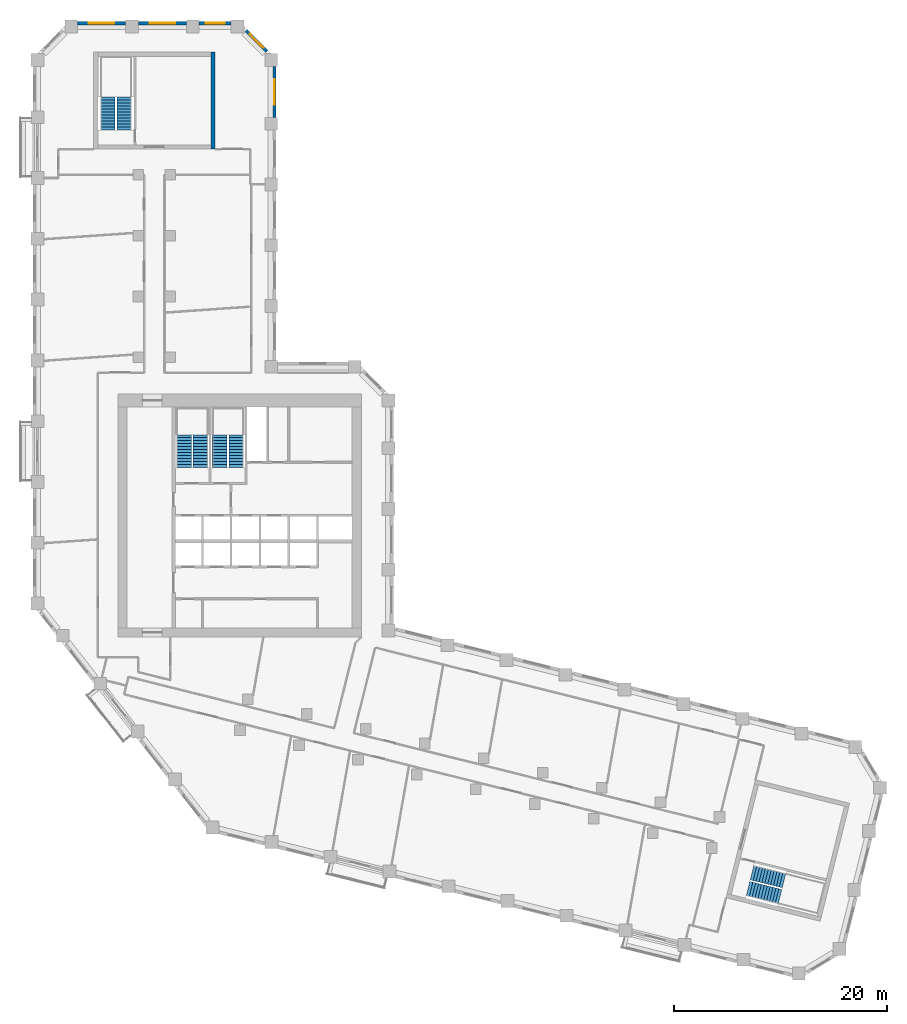
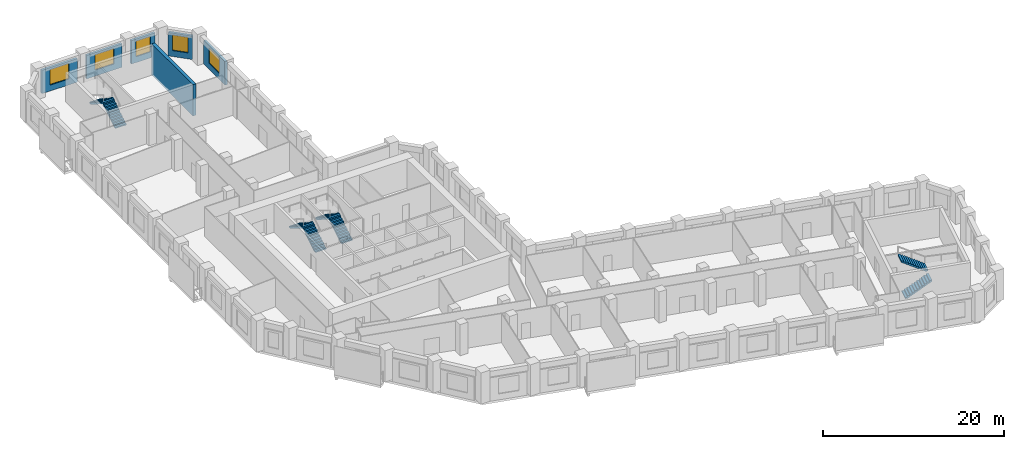
# One storey, part 9 of 10: 8 stair flights, 6 walls, 5 windows, 5 openings, 4 elements without a shape of their own.
"""IFC4 building model written with IfcOpenShell, lengths in metres."""

from ifc_helpers import new_model, si_unit, direction, frame, frame_2d, origin, place, context, subcontext, project, spatial, polyline, rectangle, outline, extrude, material, layer, layer_set, type_object, element, fill, aggregate, save


model = new_model("IFC4")

# Units and contexts
model_context = context("Model", 3, precision=1e-05, world=origin(), true_north=direction((0.0, 1.0)))
body_context = subcontext(model_context, "Body", "Model", "MODEL_VIEW")
ifc_project = project(units=[si_unit("LENGTHUNIT", "METRE"), si_unit("AREAUNIT", "SQUARE_METRE"), si_unit("VOLUMEUNIT", "CUBIC_METRE"), si_unit("PLANEANGLEUNIT", "RADIAN"), si_unit("MASSUNIT", "GRAM", prefix="KILO")], contexts=[model_context])

# Site, building, storey
site_placement = place(None, origin())
site = spatial("IfcSite", under=ifc_project, at=site_placement, CompositionType="ELEMENT")
building_placement = place(site_placement, origin())
building = spatial("IfcBuilding", under=site, at=building_placement, Name="Meshkara Civic Tower", CompositionType="ELEMENT")
storey_placement = place(building_placement, frame((0.0, 0.0, 203.39990234375)))
storey = spatial("IfcBuildingStorey", under=building, at=storey_placement, Name="L46", CompositionType="ELEMENT", Elevation=203.39990234375)

# Wall, opening, window
ifc_material_1 = material(Name="Insulated infill panel with bronze anodised aluminium cladding", Category="aluminium")
ifc_layer_1 = layer(ifc_material_1, 0.300048828125)
ifc_layer_set_1 = layer_set([ifc_layer_1], Name="EXTERNAL INFILL WALL 300")
wall_type_1 = type_object("IfcWallType", Name="EXTERNAL INFILL WALL 300", PredefinedType="SOLIDWALL", material=ifc_layer_set_1)
wall_1_placement = place(storey_placement, frame((22.64990234375, 62.85009765625, 0.0), z_axis=(0.0, 0.0, 1.0), x_axis=(0.0, 1.0, 0.0)))
wall_1 = element("IfcWall", 1, at=wall_1_placement, inside=storey, type_object=wall_type_1, Name="External wall", PredefinedType="SOLIDWALL", context=body_context, shape_type="SweptSolid", body=[
    extrude(rectangle(XDim=4.763916015625, YDim=0.300048828125, at=frame_2d((2.3818359375, 0.0))), origin(), (0.0, 0.0, 1.0), 3.150146484375),
])
opening_1_placement = place(wall_1_placement, frame((1.181884765625, 0.0, 0.800048828125)))
opening_1 = element("IfcOpeningElement", 2, at=opening_1_placement, cuts=wall_1, Name="Opening W7", PredefinedType="OPENING", context=body_context, shape_type="SweptSolid", body=[
    extrude(rectangle(XDim=2.39990234375, YDim=2.10009765625, at=frame_2d((1.199951171875, 1.050048828125))), frame((0.0, 0.159912109375, 0.0), z_axis=(0.0, -1.0, 0.0), x_axis=(1.0, 0.0, 0.0)), (0.0, 0.0, 1.0), 0.320068359375),
])
ifc_material_2 = material(Name="Tinted double glazing", Category="glass")
window_type_1 = type_object("IfcWindowType", Name="WINDOW 2400x2100", PartitioningType="DOUBLE_PANEL_VERTICAL", PredefinedType="WINDOW", material=ifc_material_2)
window_1_placement = place(opening_1_placement, origin())
window_1 = element("IfcWindow", 3, at=window_1_placement, inside=storey, type_object=window_type_1, Name="Window", OverallHeight=2.10009765625, OverallWidth=2.39990234375, PartitioningType="DOUBLE_PANEL_VERTICAL", PredefinedType="WINDOW", context=body_context, shape_type="SweptSolid", body=[
    extrude(rectangle(XDim=2.39990234375, YDim=2.10009765625, at=frame_2d((1.199951171875, 1.050048828125))), frame((0.0, 0.030029296875, 0.0), z_axis=(0.0, -1.0, 0.0), x_axis=(1.0, 0.0, 0.0)), (0.0, 0.0, 1.0), 0.06005859375),
])
fill(opening_1, window_1)

wall_2_placement = place(storey_placement, frame((21.9619140625, 69.02587890625, 0.0), z_axis=(0.0, 0.0, 1.0), x_axis=(-0.707062649074, 0.707150910545, 0.0)))
wall_2 = element("IfcWall", 4, at=wall_2_placement, inside=storey, type_object=wall_type_1, Name="External wall", PredefinedType="SOLIDWALL", context=body_context, shape_type="SweptSolid", body=[
    extrude(rectangle(XDim=2.76611328125, YDim=0.300048828125, at=frame_2d((1.383056640625, 0.0))), origin(), (0.0, 0.0, 1.0), 3.150146484375),
])
opening_2_placement = place(wall_2_placement, frame((0.48291015625, 0.0, 0.800048828125)))
opening_2 = element("IfcOpeningElement", 5, at=opening_2_placement, cuts=wall_2, Name="Opening W9", PredefinedType="OPENING", context=body_context, shape_type="SweptSolid", body=[
    extrude(rectangle(XDim=1.800048828125, YDim=2.10009765625, at=frame_2d((0.89990234375, 1.050048828125))), frame((0.0, 0.159912109375, 0.0), z_axis=(0.0, -1.0, 0.0), x_axis=(1.0, 0.0, 0.0)), (0.0, 0.0, 1.0), 0.320068359375),
])
ifc_material_3 = material(Name="Tinted double glazing", Category="glass")
window_type_2 = type_object("IfcWindowType", Name="WINDOW 1800x2100", PartitioningType="DOUBLE_PANEL_VERTICAL", PredefinedType="WINDOW", material=ifc_material_3)
window_2_placement = place(opening_2_placement, origin())
window_2 = element("IfcWindow", 6, at=window_2_placement, inside=storey, type_object=window_type_2, Name="Window", OverallHeight=2.10009765625, OverallWidth=1.800048828125, PartitioningType="DOUBLE_PANEL_VERTICAL", PredefinedType="WINDOW", context=body_context, shape_type="SweptSolid", body=[
    extrude(rectangle(XDim=1.800048828125, YDim=2.10009765625, at=frame_2d((0.89990234375, 1.050048828125))), frame((0.0, 0.030029296875, 0.0), z_axis=(0.0, -1.0, 0.0), x_axis=(1.0, 0.0, 0.0)), (0.0, 0.0, 1.0), 0.06005859375),
])
fill(opening_2, window_2)

wall_3_placement = place(storey_placement, frame((18.593994140625, 71.669921875, 0.0), z_axis=(0.0, 0.0, 1.0), x_axis=(-1.0, 0.0, 0.0)))
wall_3 = element("IfcWall", 7, at=wall_3_placement, inside=storey, type_object=wall_type_1, Name="External wall", PredefinedType="SOLIDWALL", context=body_context, shape_type="SweptSolid", body=[
    extrude(rectangle(XDim=2.988037109375, YDim=0.300048828125, at=frame_2d((1.494140625, 0.0))), origin(), (0.0, 0.0, 1.0), 3.150146484375),
])
opening_3_placement = place(wall_3_placement, frame((0.593994140625, 0.0, 0.800048828125)))
opening_3 = element("IfcOpeningElement", 8, at=opening_3_placement, cuts=wall_3, Name="Opening W9", PredefinedType="OPENING", context=body_context, shape_type="SweptSolid", body=[
    extrude(rectangle(XDim=1.800048828125, YDim=2.10009765625, at=frame_2d((0.89990234375, 1.050048828125))), frame((0.0, 0.159912109375, 0.0), z_axis=(0.0, -1.0, 0.0), x_axis=(1.0, 0.0, 0.0)), (0.0, 0.0, 1.0), 0.320068359375),
])
window_3_placement = place(opening_3_placement, origin())
window_3 = element("IfcWindow", 9, at=window_3_placement, inside=storey, type_object=window_type_2, Name="Window", OverallHeight=2.10009765625, OverallWidth=1.800048828125, PartitioningType="DOUBLE_PANEL_VERTICAL", PredefinedType="WINDOW", context=body_context, shape_type="SweptSolid", body=[
    extrude(rectangle(XDim=1.800048828125, YDim=2.10009765625, at=frame_2d((0.89990234375, 1.050048828125))), frame((0.0, 0.030029296875, 0.0), z_axis=(0.0, -1.0, 0.0), x_axis=(1.0, 0.0, 0.0)), (0.0, 0.0, 1.0), 0.06005859375),
])
fill(opening_3, window_3)

wall_4_placement = place(storey_placement, frame((14.406005859375, 71.669921875, 0.0), z_axis=(0.0, 0.0, 1.0), x_axis=(-1.0, 0.0, 0.0)))
wall_4 = element("IfcWall", 10, at=wall_4_placement, inside=storey, type_object=wall_type_1, Name="External wall", PredefinedType="SOLIDWALL", context=body_context, shape_type="SweptSolid", body=[
    extrude(rectangle(XDim=4.5, YDim=0.300048828125, at=frame_2d((2.25, 0.0))), origin(), (0.0, 0.0, 1.0), 3.150146484375),
])
opening_4_placement = place(wall_4_placement, frame((1.050048828125, 0.0, 0.800048828125)))
opening_4 = element("IfcOpeningElement", 11, at=opening_4_placement, cuts=wall_4, Name="Opening W7", PredefinedType="OPENING", context=body_context, shape_type="SweptSolid", body=[
    extrude(rectangle(XDim=2.39990234375, YDim=2.10009765625, at=frame_2d((1.199951171875, 1.050048828125))), frame((0.0, 0.159912109375, 0.0), z_axis=(0.0, -1.0, 0.0), x_axis=(1.0, 0.0, 0.0)), (0.0, 0.0, 1.0), 0.320068359375),
])
window_4_placement = place(opening_4_placement, origin())
window_4 = element("IfcWindow", 12, at=window_4_placement, inside=storey, type_object=window_type_1, Name="Window", OverallHeight=2.10009765625, OverallWidth=2.39990234375, PartitioningType="DOUBLE_PANEL_VERTICAL", PredefinedType="WINDOW", context=body_context, shape_type="SweptSolid", body=[
    extrude(rectangle(XDim=2.39990234375, YDim=2.10009765625, at=frame_2d((1.199951171875, 1.050048828125))), frame((0.0, 0.030029296875, 0.0), z_axis=(0.0, -1.0, 0.0), x_axis=(1.0, 0.0, 0.0)), (0.0, 0.0, 1.0), 0.06005859375),
])
fill(opening_4, window_4)

wall_5_placement = place(storey_placement, frame((8.7060546875, 71.669921875, 0.0), z_axis=(0.0, 0.0, 1.0), x_axis=(-1.0, 0.0, 0.0)))
wall_5 = element("IfcWall", 13, at=wall_5_placement, inside=storey, type_object=wall_type_1, Name="External wall", PredefinedType="SOLIDWALL", context=body_context, shape_type="SweptSolid", body=[
    extrude(rectangle(XDim=4.5, YDim=0.300048828125, at=frame_2d((2.25, 0.0))), origin(), (0.0, 0.0, 1.0), 3.150146484375),
])
opening_5_placement = place(wall_5_placement, frame((1.050048828125, 0.0, 0.800048828125)))
opening_5 = element("IfcOpeningElement", 14, at=opening_5_placement, cuts=wall_5, Name="Opening W7", PredefinedType="OPENING", context=body_context, shape_type="SweptSolid", body=[
    extrude(rectangle(XDim=2.39990234375, YDim=2.10009765625, at=frame_2d((1.199951171875, 1.050048828125))), frame((0.0, 0.159912109375, 0.0), z_axis=(0.0, -1.0, 0.0), x_axis=(1.0, 0.0, 0.0)), (0.0, 0.0, 1.0), 0.320068359375),
])
window_5_placement = place(opening_5_placement, origin())
window_5 = element("IfcWindow", 15, at=window_5_placement, inside=storey, type_object=window_type_1, Name="Window", OverallHeight=2.10009765625, OverallWidth=2.39990234375, PartitioningType="DOUBLE_PANEL_VERTICAL", PredefinedType="WINDOW", context=body_context, shape_type="SweptSolid", body=[
    extrude(rectangle(XDim=2.39990234375, YDim=2.10009765625, at=frame_2d((1.199951171875, 1.050048828125))), frame((0.0, 0.030029296875, 0.0), z_axis=(0.0, -1.0, 0.0), x_axis=(1.0, 0.0, 0.0)), (0.0, 0.0, 1.0), 0.06005859375),
])
fill(opening_5, window_5)

# Wall
ifc_material_4 = material(Name="Concrete C70", Category="concrete")
ifc_layer_2 = layer(ifc_material_4, 0.39990234375)
ifc_layer_set_2 = layer_set([ifc_layer_2], Name="End core ring wall 400 C70")
wall_type_2 = type_object("IfcWallType", Name="End core ring wall 400 C70", PredefinedType="SHEAR", material=ifc_layer_set_2)
wall_6_placement = place(storey_placement, frame((16.89990234375, 59.8701171875, -0.2998046875), z_axis=(0.0, 0.0, 1.0), x_axis=(0.0, 1.0, 0.0)))
element("IfcWall", 16, at=wall_6_placement, inside=storey, type_object=wall_type_2, Name="L46-C024", PredefinedType="SHEAR", context=body_context, shape_type="SweptSolid", body=[
    extrude(rectangle(XDim=9.099853515625, YDim=0.39990234375, at=frame_2d((4.5498046875, 0.0))), origin(), (0.0, 0.0, 1.0), 4.199951171875),
])

# Stair, stair flights
ifc_material_5 = material(Name="Precast concrete C40/50", Category="concrete")
stair_type = type_object("IfcStairType", Name="Exit stair half-turn 24 risers precast", PredefinedType="HALF_TURN_STAIR", material=ifc_material_5)
stair_1_placement = place(storey_placement, origin())
stair_1 = element("IfcStair", 17, at=stair_1_placement, inside=storey, type_object=stair_type, Name="L46 exit stair 1", PredefinedType="HALF_TURN_STAIR")
ifc_material_6 = material(Name="Precast concrete C40/50", Category="concrete")
stair_flight_type = type_object("IfcStairFlightType", Name="Exit stair flight 12 risers precast", PredefinedType="STRAIGHT", material=ifc_material_6)
stair_flight_1_placement = place(storey_placement, frame((15.72509765625, 30.0, 0.0), z_axis=(0.0, 0.0, 1.0), x_axis=(0.0, 1.0, 0.0)))
stair_flight_1 = element("IfcStairFlight", 18, at=stair_flight_1_placement, type_object=stair_flight_type, Name="ST1 flight 1", NumberOfRisers=12, NumberOfTreads=11, PredefinedType="STRAIGHT", RiserHeight=0.175, TreadLength=0.28, context=body_context, shape_type="SweptSolid", body=[
    extrude(outline(polyline([(0.0, 0.0), (0.0, 0.175048828125), (0.280029296875, 0.175048828125), (0.280029296875, 0.35009765625), (0.56005859375, 0.35009765625), (0.56005859375, 0.52490234375), (0.840087890625, 0.52490234375), (0.840087890625, 0.699951171875), (1.1201171875, 0.699951171875), (1.1201171875, 0.875), (1.39990234375, 0.875), (1.39990234375, 1.050048828125), (1.679931640625, 1.050048828125), (1.679931640625, 1.22509765625), (1.9599609375, 1.22509765625), (1.9599609375, 1.39990234375), (2.239990234375, 1.39990234375), (2.239990234375, 1.574951171875), (2.52001953125, 1.574951171875), (2.52001953125, 1.75), (2.800048828125, 1.75), (2.800048828125, 1.925048828125), (3.080078125, 1.925048828125), (3.080078125, 2.10009765625), (3.080078125, 1.748291015625), (0.28271484375, 0.0), (0.0, 0.0)])), frame((0.0, 0.699951171875, 0.0), z_axis=(0.0, -1.0, 0.0), x_axis=(1.0, 0.0, 0.0)), (0.0, 0.0, 1.0), 1.39990234375),
])
stair_flight_2_placement = place(storey_placement, frame((14.175048828125, 33.080078125, 2.10009765625), z_axis=(0.0, 0.0, 1.0), x_axis=(0.0, -1.0, 0.0)))
stair_flight_2 = element("IfcStairFlight", 19, at=stair_flight_2_placement, type_object=stair_flight_type, Name="ST1 flight 2", NumberOfRisers=12, NumberOfTreads=11, PredefinedType="STRAIGHT", RiserHeight=0.175, TreadLength=0.28, context=body_context, shape_type="SweptSolid", body=[
    extrude(outline(polyline([(0.0, 0.0), (0.0, 0.175048828125), (0.280029296875, 0.175048828125), (0.280029296875, 0.35009765625), (0.56005859375, 0.35009765625), (0.56005859375, 0.52490234375), (0.840087890625, 0.52490234375), (0.840087890625, 0.699951171875), (1.1201171875, 0.699951171875), (1.1201171875, 0.875), (1.39990234375, 0.875), (1.39990234375, 1.050048828125), (1.679931640625, 1.050048828125), (1.679931640625, 1.22509765625), (1.9599609375, 1.22509765625), (1.9599609375, 1.39990234375), (2.239990234375, 1.39990234375), (2.239990234375, 1.574951171875), (2.52001953125, 1.574951171875), (2.52001953125, 1.75), (2.800048828125, 1.75), (2.800048828125, 1.925048828125), (3.080078125, 1.925048828125), (3.080078125, 2.10009765625), (3.080078125, 1.748291015625), (0.28271484375, 0.0), (0.0, 0.0)])), frame((0.0, 0.699951171875, 0.0), z_axis=(0.0, -1.0, 0.0), x_axis=(1.0, 0.0, 0.0)), (0.0, 0.0, 1.0), 1.39990234375),
])
aggregate(stair_1, [stair_flight_1, stair_flight_2])

stair_2_placement = place(storey_placement, origin())
stair_2 = element("IfcStair", 20, at=stair_2_placement, inside=storey, type_object=stair_type, Name="L46 exit stair 2", PredefinedType="HALF_TURN_STAIR")
stair_flight_3_placement = place(storey_placement, frame((19.074951171875, 30.0, 0.0), z_axis=(0.0, 0.0, 1.0), x_axis=(0.0, 1.0, 0.0)))
stair_flight_3 = element("IfcStairFlight", 21, at=stair_flight_3_placement, type_object=stair_flight_type, Name="ST2 flight 1", NumberOfRisers=12, NumberOfTreads=11, PredefinedType="STRAIGHT", RiserHeight=0.175, TreadLength=0.28, context=body_context, shape_type="SweptSolid", body=[
    extrude(outline(polyline([(0.0, 0.0), (0.0, 0.175048828125), (0.280029296875, 0.175048828125), (0.280029296875, 0.35009765625), (0.56005859375, 0.35009765625), (0.56005859375, 0.52490234375), (0.840087890625, 0.52490234375), (0.840087890625, 0.699951171875), (1.1201171875, 0.699951171875), (1.1201171875, 0.875), (1.39990234375, 0.875), (1.39990234375, 1.050048828125), (1.679931640625, 1.050048828125), (1.679931640625, 1.22509765625), (1.9599609375, 1.22509765625), (1.9599609375, 1.39990234375), (2.239990234375, 1.39990234375), (2.239990234375, 1.574951171875), (2.52001953125, 1.574951171875), (2.52001953125, 1.75), (2.800048828125, 1.75), (2.800048828125, 1.925048828125), (3.080078125, 1.925048828125), (3.080078125, 2.10009765625), (3.080078125, 1.748291015625), (0.28271484375, 0.0), (0.0, 0.0)])), frame((0.0, 0.699951171875, 0.0), z_axis=(0.0, -1.0, 0.0), x_axis=(1.0, 0.0, 0.0)), (0.0, 0.0, 1.0), 1.39990234375),
])
stair_flight_4_placement = place(storey_placement, frame((17.52490234375, 33.080078125, 2.10009765625), z_axis=(0.0, 0.0, 1.0), x_axis=(0.0, -1.0, 0.0)))
stair_flight_4 = element("IfcStairFlight", 22, at=stair_flight_4_placement, type_object=stair_flight_type, Name="ST2 flight 2", NumberOfRisers=12, NumberOfTreads=11, PredefinedType="STRAIGHT", RiserHeight=0.175, TreadLength=0.28, context=body_context, shape_type="SweptSolid", body=[
    extrude(outline(polyline([(0.0, 0.0), (0.0, 0.175048828125), (0.280029296875, 0.175048828125), (0.280029296875, 0.35009765625), (0.56005859375, 0.35009765625), (0.56005859375, 0.52490234375), (0.840087890625, 0.52490234375), (0.840087890625, 0.699951171875), (1.1201171875, 0.699951171875), (1.1201171875, 0.875), (1.39990234375, 0.875), (1.39990234375, 1.050048828125), (1.679931640625, 1.050048828125), (1.679931640625, 1.22509765625), (1.9599609375, 1.22509765625), (1.9599609375, 1.39990234375), (2.239990234375, 1.39990234375), (2.239990234375, 1.574951171875), (2.52001953125, 1.574951171875), (2.52001953125, 1.75), (2.800048828125, 1.75), (2.800048828125, 1.925048828125), (3.080078125, 1.925048828125), (3.080078125, 2.10009765625), (3.080078125, 1.748291015625), (0.28271484375, 0.0), (0.0, 0.0)])), frame((0.0, 0.699951171875, 0.0), z_axis=(0.0, -1.0, 0.0), x_axis=(1.0, 0.0, 0.0)), (0.0, 0.0, 1.0), 1.39990234375),
])
aggregate(stair_2, [stair_flight_3, stair_flight_4])

stair_3_placement = place(storey_placement, origin())
stair_3 = element("IfcStair", 23, at=stair_3_placement, inside=storey, type_object=stair_type, Name="L46 exit stair A from L35", PredefinedType="HALF_TURN_STAIR")
stair_flight_5_placement = place(storey_placement, frame((8.574951171875, 61.669921875, 0.0), z_axis=(0.0, 0.0, 1.0), x_axis=(0.0, 1.0, 0.0)))
stair_flight_5 = element("IfcStairFlight", 24, at=stair_flight_5_placement, type_object=stair_flight_type, Name="ESA3 flight 1", NumberOfRisers=12, NumberOfTreads=11, PredefinedType="STRAIGHT", RiserHeight=0.175, TreadLength=0.28, context=body_context, shape_type="SweptSolid", body=[
    extrude(outline(polyline([(0.0, 0.0), (0.0, 0.175048828125), (0.280029296875, 0.175048828125), (0.280029296875, 0.35009765625), (0.56005859375, 0.35009765625), (0.56005859375, 0.52490234375), (0.840087890625, 0.52490234375), (0.840087890625, 0.699951171875), (1.1201171875, 0.699951171875), (1.1201171875, 0.875), (1.39990234375, 0.875), (1.39990234375, 1.050048828125), (1.679931640625, 1.050048828125), (1.679931640625, 1.22509765625), (1.9599609375, 1.22509765625), (1.9599609375, 1.39990234375), (2.239990234375, 1.39990234375), (2.239990234375, 1.574951171875), (2.52001953125, 1.574951171875), (2.52001953125, 1.75), (2.800048828125, 1.75), (2.800048828125, 1.925048828125), (3.080078125, 1.925048828125), (3.080078125, 2.10009765625), (3.080078125, 1.748291015625), (0.28271484375, 0.0), (0.0, 0.0)])), frame((0.0, 0.699951171875, 0.0), z_axis=(0.0, -1.0, 0.0), x_axis=(1.0, 0.0, 0.0)), (0.0, 0.0, 1.0), 1.39990234375),
])
stair_flight_6_placement = place(storey_placement, frame((7.02490234375, 64.75, 2.10009765625), z_axis=(0.0, 0.0, 1.0), x_axis=(0.0, -1.0, 0.0)))
stair_flight_6 = element("IfcStairFlight", 25, at=stair_flight_6_placement, type_object=stair_flight_type, Name="ESA3 flight 2", NumberOfRisers=12, NumberOfTreads=11, PredefinedType="STRAIGHT", RiserHeight=0.175, TreadLength=0.28, context=body_context, shape_type="SweptSolid", body=[
    extrude(outline(polyline([(0.0, 0.0), (0.0, 0.175048828125), (0.280029296875, 0.175048828125), (0.280029296875, 0.35009765625), (0.56005859375, 0.35009765625), (0.56005859375, 0.52490234375), (0.840087890625, 0.52490234375), (0.840087890625, 0.699951171875), (1.1201171875, 0.699951171875), (1.1201171875, 0.875), (1.39990234375, 0.875), (1.39990234375, 1.050048828125), (1.679931640625, 1.050048828125), (1.679931640625, 1.22509765625), (1.9599609375, 1.22509765625), (1.9599609375, 1.39990234375), (2.239990234375, 1.39990234375), (2.239990234375, 1.574951171875), (2.52001953125, 1.574951171875), (2.52001953125, 1.75), (2.800048828125, 1.75), (2.800048828125, 1.925048828125), (3.080078125, 1.925048828125), (3.080078125, 2.10009765625), (3.080078125, 1.748291015625), (0.28271484375, 0.0), (0.0, 0.0)])), frame((0.0, 0.699951171875, 0.0), z_axis=(0.0, -1.0, 0.0), x_axis=(1.0, 0.0, 0.0)), (0.0, 0.0, 1.0), 1.39990234375),
])
aggregate(stair_3, [stair_flight_5, stair_flight_6])

stair_4_placement = place(storey_placement, origin())
stair_4 = element("IfcStair", 26, at=stair_4_placement, inside=storey, type_object=stair_type, Name="L46 exit stair B from L35", PredefinedType="HALF_TURN_STAIR")
stair_flight_7_placement = place(storey_placement, frame((67.068115234375, -9.4814453125, 0.0), z_axis=(0.0, 0.0, 1.0), x_axis=(0.9703185901, -0.241830175344, 0.0)))
stair_flight_7 = element("IfcStairFlight", 27, at=stair_flight_7_placement, type_object=stair_flight_type, Name="ESB3 flight 1", NumberOfRisers=12, NumberOfTreads=11, PredefinedType="STRAIGHT", RiserHeight=0.175, TreadLength=0.28, context=body_context, shape_type="SweptSolid", body=[
    extrude(outline(polyline([(0.0, 0.0), (0.0, 0.175048828125), (0.280029296875, 0.175048828125), (0.280029296875, 0.35009765625), (0.56005859375, 0.35009765625), (0.56005859375, 0.52490234375), (0.840087890625, 0.52490234375), (0.840087890625, 0.699951171875), (1.1201171875, 0.699951171875), (1.1201171875, 0.875), (1.39990234375, 0.875), (1.39990234375, 1.050048828125), (1.679931640625, 1.050048828125), (1.679931640625, 1.22509765625), (1.9599609375, 1.22509765625), (1.9599609375, 1.39990234375), (2.239990234375, 1.39990234375), (2.239990234375, 1.574951171875), (2.52001953125, 1.574951171875), (2.52001953125, 1.75), (2.800048828125, 1.75), (2.800048828125, 1.925048828125), (3.080078125, 1.925048828125), (3.080078125, 2.10009765625), (3.080078125, 1.748291015625), (0.28271484375, 0.0), (0.0, 0.0)])), frame((0.0, 0.699951171875, 0.0), z_axis=(0.0, -1.0, 0.0), x_axis=(1.0, 0.0, 0.0)), (0.0, 0.0, 1.0), 1.39990234375),
])
stair_flight_8_placement = place(storey_placement, frame((70.431396484375, -8.722412109375, 2.10009765625), z_axis=(0.0, 0.0, 1.0), x_axis=(-0.9703185901, 0.241830175344, 0.0)))
stair_flight_8 = element("IfcStairFlight", 28, at=stair_flight_8_placement, type_object=stair_flight_type, Name="ESB3 flight 2", NumberOfRisers=12, NumberOfTreads=11, PredefinedType="STRAIGHT", RiserHeight=0.175, TreadLength=0.28, context=body_context, shape_type="SweptSolid", body=[
    extrude(outline(polyline([(0.0, 0.0), (0.0, 0.175048828125), (0.280029296875, 0.175048828125), (0.280029296875, 0.35009765625), (0.56005859375, 0.35009765625), (0.56005859375, 0.52490234375), (0.840087890625, 0.52490234375), (0.840087890625, 0.699951171875), (1.1201171875, 0.699951171875), (1.1201171875, 0.875), (1.39990234375, 0.875), (1.39990234375, 1.050048828125), (1.679931640625, 1.050048828125), (1.679931640625, 1.22509765625), (1.9599609375, 1.22509765625), (1.9599609375, 1.39990234375), (2.239990234375, 1.39990234375), (2.239990234375, 1.574951171875), (2.52001953125, 1.574951171875), (2.52001953125, 1.75), (2.800048828125, 1.75), (2.800048828125, 1.925048828125), (3.080078125, 1.925048828125), (3.080078125, 2.10009765625), (3.080078125, 1.748291015625), (0.28271484375, 0.0), (0.0, 0.0)])), frame((0.0, 0.699951171875, 0.0), z_axis=(0.0, -1.0, 0.0), x_axis=(1.0, 0.0, 0.0)), (0.0, 0.0, 1.0), 1.39990234375),
])
aggregate(stair_4, [stair_flight_7, stair_flight_8])

save(model, "model.ifc")
